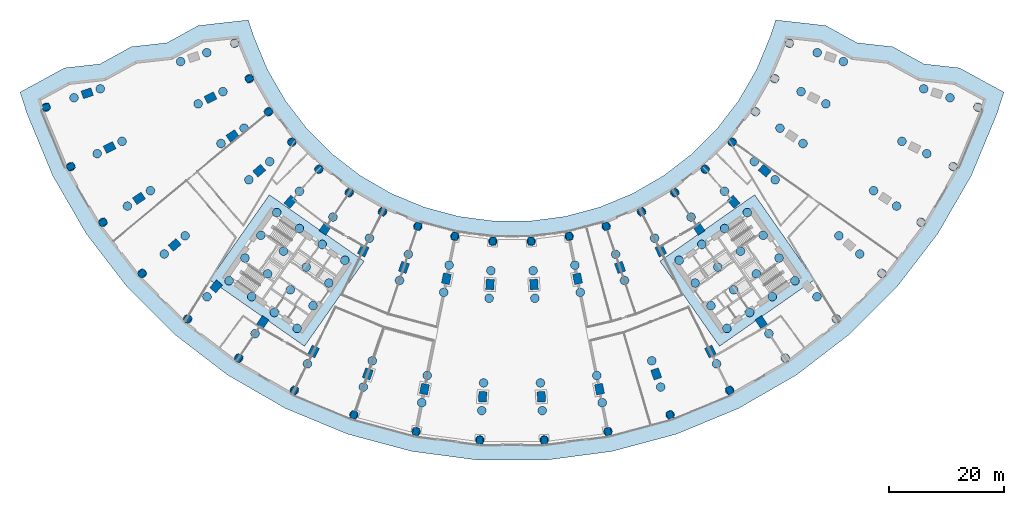
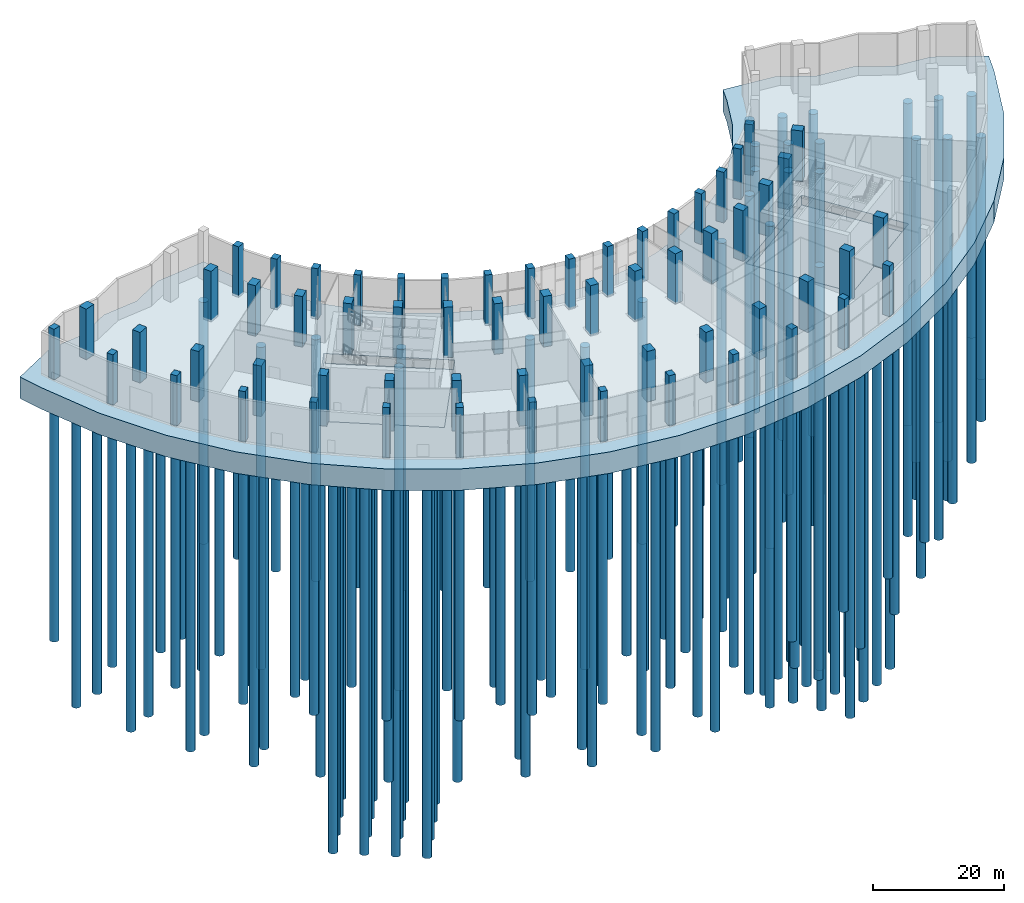
# One storey, part 1 of 23: 140 piles, 61 columns, 3 footings.
"""IFC4 building model written with IfcOpenShell, lengths in metres."""

import ifcopenshell
import ifcopenshell.guid

model = None  # the IFC model being written
_history = None  # IfcOwnerHistory: only IFC2X3 demands one
_inside = {}  # id of a spatial element -> (the spatial element, [elements in it])
_under = {}  # id of a project, library or spatial element -> (it, [spatial elements below it])
_declared = {}  # id of a project -> (the project, [libraries it declares])
_typed = {}  # id of a type object -> (the type object, [elements of that type])
_made_of = {}  # id of a material, layer set ... -> (it, [elements and type objects made of it])


def new_model(schema):
    """Start an empty IFC model of exactly this schema.

    Asked for "IFC4X3", IfcOpenShell would pick the latest addendum, in which some entities
    have other attributes; the version numbers below select the first issue.
    IFC2X3 requires an IfcOwnerHistory on every rooted entity: one is made here for all.
    """
    global model, _history
    if schema == "IFC4X3":
        model = ifcopenshell.file(schema_version=(4, 3, 0, 0))
    else:
        model = ifcopenshell.file(schema=schema)
    _inside.clear()
    _under.clear()
    _declared.clear()
    _typed.clear()
    _made_of.clear()
    _history = None
    if model.schema == "IFC2X3":
        org = make("IfcOrganization", Name="unknown")
        user = make(
            "IfcPersonAndOrganization",
            ThePerson=make("IfcPerson", FamilyName="unknown"),
            TheOrganization=org,
        )
        app = make(
            "IfcApplication",
            ApplicationDeveloper=org,
            Version="unknown",
            ApplicationFullName="unknown",
            ApplicationIdentifier="unknown",
        )
        _history = make(
            "IfcOwnerHistory",
            OwningUser=user,
            OwningApplication=app,
            ChangeAction="ADDED",
            CreationDate=0,
        )
    return model


def make(cls, **values):
    """One entity of the class cls with the attributes given. An attribute that is None is left unset."""
    return model.create_entity(
        cls, **{name: value for name, value in values.items() if value is not None}
    )


def rooted(cls, **values):
    """An entity with a GlobalId (a new one), such as an element, a storey or a relation."""
    return make(cls, GlobalId=ifcopenshell.guid.new(), OwnerHistory=_history, **values)


def si_unit(unit_type, name, prefix=None):
    """IfcSIUnit, for example si_unit("LENGTHUNIT", "METRE", prefix="MILLI")."""
    return make("IfcSIUnit", UnitType=unit_type, Prefix=prefix, Name=name)


def assignment(units):
    """IfcUnitAssignment: the units of a project."""
    return None if units is None else make("IfcUnitAssignment", Units=units)


def point(xyz):
    """IfcCartesianPoint."""
    return None if xyz is None else make("IfcCartesianPoint", Coordinates=xyz)


def direction(xyz):
    """IfcDirection."""
    return None if xyz is None else make("IfcDirection", DirectionRatios=xyz)


def frame(location, z_axis=None, x_axis=None):
    """IfcAxis2Placement3D, a coordinate frame: its origin and axes. An axis left out is left unset."""
    return make(
        "IfcAxis2Placement3D",
        Location=point(location),
        Axis=direction(z_axis),
        RefDirection=direction(x_axis),
    )


def frame_2d(location, x_axis=None):
    """IfcAxis2Placement2D, a coordinate frame in the plane: its origin and x axis."""
    return make(
        "IfcAxis2Placement2D", Location=point(location), RefDirection=direction(x_axis)
    )


def origin():
    """The frame at (0, 0, 0) with its axes left unset."""
    return frame((0.0, 0.0, 0.0))


def origin_2d():
    """The frame at (0, 0) in the plane with its x axis left unset."""
    return frame_2d((0.0, 0.0))


def place(relative_to, where):
    """IfcLocalPlacement: puts the frame where relative to a parent placement (None: the world)."""
    return make(
        "IfcLocalPlacement", PlacementRelTo=relative_to, RelativePlacement=where
    )


def context(
    kind, dimensions, precision=None, world=None, true_north=None, identifier=None
):
    """IfcGeometricRepresentationContext, for example the 3D "Model" context."""
    return make(
        "IfcGeometricRepresentationContext",
        ContextIdentifier=identifier,
        ContextType=kind,
        CoordinateSpaceDimension=dimensions,
        Precision=precision,
        WorldCoordinateSystem=world,
        TrueNorth=true_north,
    )


def subcontext(parent, identifier, kind, view, scale=None):
    """IfcGeometricRepresentationSubContext, for example "Body" below "Model"."""
    return make(
        "IfcGeometricRepresentationSubContext",
        ContextIdentifier=identifier,
        ContextType=kind,
        ParentContext=parent,
        TargetScale=scale,
        TargetView=view,
    )


def project(units=None, contexts=None):
    """IfcProject with its units and contexts."""
    return rooted(
        "IfcProject",
        Name="project",
        RepresentationContexts=contexts,
        UnitsInContext=assignment(units),
    )


def spatial(cls, under=None, at=None, **own):
    """A site, building, storey or space (cls), placed at a placement, below another one or the project."""
    s = rooted(cls, ObjectPlacement=at, **own)
    if under is not None:
        _under.setdefault(under.id(), (under, []))[1].append(s)
    return s


def polyline(points):
    """IfcPolyline through the points."""
    return make("IfcPolyline", Points=[point(p) for p in points])


def profile(cls, at=None, kind="AREA", **sizes):
    """A parametric profile (cls). Its sizes go by their IFC names, for example OverallWidth=200.0."""
    return make(cls, ProfileType=kind, Position=at, **sizes)


def rectangle(**sizes):
    """IfcRectangleProfileDef."""
    return profile("IfcRectangleProfileDef", **sizes)


def circle(**sizes):
    """IfcCircleProfileDef."""
    return profile("IfcCircleProfileDef", **sizes)


def outline(outer, holes=None, kind="AREA"):
    """IfcArbitraryClosedProfileDef: a profile drawn as a closed curve; with holes, ...WithVoids."""
    if holes is None:
        return make("IfcArbitraryClosedProfileDef", ProfileType=kind, OuterCurve=outer)
    return make(
        "IfcArbitraryProfileDefWithVoids",
        ProfileType=kind,
        OuterCurve=outer,
        InnerCurves=holes,
    )


def extrude(swept, where, along, depth):
    """IfcExtrudedAreaSolid: the profile swept, set in the frame where, extruded along a direction by depth."""
    return make(
        "IfcExtrudedAreaSolid",
        SweptArea=swept,
        Position=where,
        ExtrudedDirection=direction(along),
        Depth=depth,
    )


def shape(context_of_items, identifier, shape_type, items):
    """IfcShapeRepresentation: the items that make up one representation, for example the "Body"."""
    return make(
        "IfcShapeRepresentation",
        ContextOfItems=context_of_items,
        RepresentationIdentifier=identifier,
        RepresentationType=shape_type,
        Items=items,
    )


def material(Name=None, Category=None):
    """IfcMaterial."""
    return make("IfcMaterial", Name=Name, Category=Category)


def material_profile(
    of_material, cross_section, Name=None, Category=None, Priority=None
):
    """IfcMaterialProfile: a cross section and its material."""
    return make(
        "IfcMaterialProfile",
        Name=Name,
        Material=of_material,
        Profile=cross_section,
        Priority=Priority,
        Category=Category,
    )


def profile_set(profiles, Name=None, composite=None):
    """IfcMaterialProfileSet."""
    return make(
        "IfcMaterialProfileSet",
        Name=Name,
        MaterialProfiles=profiles,
        CompositeProfile=composite,
    )


def made_of(thing, what):
    """Note that an element or type object is made of a material, layer set ...; save() writes the relation."""
    if what is not None:
        _made_of.setdefault(what.id(), (what, []))[1].append(thing)
    return thing


def type_object(cls, material=None, **own):
    """A type object (cls), such as IfcWallType, which elements share."""
    return made_of(rooted(cls, **own), material)


def element(
    cls,
    number,
    at=None,
    inside=None,
    cuts=None,
    type_object=None,
    material=None,
    context=None,
    identifier="Body",
    shape_type=None,
    held_by="IfcProductDefinitionShape",
    body=None,
    shapes=None,
    **own,
):
    """One element of the class cls, such as IfcWall. Its Tag is "e" and its number.

    at: its placement. inside: the storey or other place that contains it. cuts: it is an
    opening in that element (IfcRelVoidsElement). A single representation is given by context,
    identifier, shape_type and body (its items); several are given by shapes. held_by: the class
    of the entity that holds the representations. save() writes the other relations.
    """
    e = rooted(cls, Tag="e%d" % number, ObjectPlacement=at, **own)
    if body is not None:
        shapes = [shape(context, identifier, shape_type, body)]
    if shapes is not None:
        e.Representation = make(held_by, Representations=shapes)
    if inside is not None:
        _inside.setdefault(inside.id(), (inside, []))[1].append(e)
    if cuts is not None:
        rooted(
            "IfcRelVoidsElement", RelatingBuildingElement=cuts, RelatedOpeningElement=e
        )
    if type_object is not None:
        _typed.setdefault(type_object.id(), (type_object, []))[1].append(e)
    return made_of(e, material)


def aggregate(whole, parts):
    """IfcRelAggregates: a whole, such as a stair, and the parts it consists of."""
    return rooted("IfcRelAggregates", RelatingObject=whole, RelatedObjects=parts)


def save(model, path):
    """Write the relations noted so far, then the file.

    IfcRelAggregates (storeys below a building ...), IfcRelContainedInSpatialStructure (elements
    in a storey), IfcRelDefinesByType, IfcRelAssociatesMaterial and IfcRelDeclares: one each for
    every whole, place, type object, material and project.
    """
    for whole, parts in _under.values():
        aggregate(whole, parts)
    for where, things in _inside.values():
        rooted(
            "IfcRelContainedInSpatialStructure",
            RelatedElements=things,
            RelatingStructure=where,
        )
    for kind, things in _typed.values():
        rooted("IfcRelDefinesByType", RelatedObjects=things, RelatingType=kind)
    for what, things in _made_of.values():
        rooted("IfcRelAssociatesMaterial", RelatedObjects=things, RelatingMaterial=what)
    for by, libraries in _declared.values():
        rooted("IfcRelDeclares", RelatingContext=by, RelatedDefinitions=libraries)
    model.write(path)


model = new_model("IFC4")

# Units and contexts
model_context = context("Model", 3, precision=1e-05, world=origin(), true_north=direction((0.0, 1.0)))
body_context = subcontext(model_context, "Body", "Model", "MODEL_VIEW")
ifc_project = project(units=[si_unit("LENGTHUNIT", "METRE"), si_unit("AREAUNIT", "SQUARE_METRE"), si_unit("VOLUMEUNIT", "CUBIC_METRE"), si_unit("PLANEANGLEUNIT", "RADIAN"), si_unit("MASSUNIT", "GRAM", prefix="KILO")], contexts=[model_context])

# Site, building, storey
site_placement = place(None, origin())
site = spatial("IfcSite", under=ifc_project, at=site_placement, CompositionType="ELEMENT")
building_placement = place(site_placement, origin())
building = spatial("IfcBuilding", under=site, at=building_placement, Name="Qamariyya Broadcast Tower", CompositionType="ELEMENT")
storey_placement = place(building_placement, origin())
storey = spatial("IfcBuildingStorey", under=building, at=storey_placement, Name="L00", CompositionType="ELEMENT", Elevation=0.0)

# Piles
ifc_material_1 = material(Name="Concrete C40/50", Category="concrete")
ifc_material_profile_1 = material_profile(ifc_material_1, circle(Radius=0.75, at=origin_2d()))
ifc_profile_set_1 = profile_set([ifc_material_profile_1], Name="Concrete C40/50")
pile_type_1 = type_object("IfcPileType", Name="Bored pile D1500 core 75 m C40/50", PredefinedType="BORED", material=ifc_profile_set_1)
for number, where, z_axis, x_axis, name in (
    (1, (-49.03076171875, -57.470458984375, -6.550048828125), (0.0, 0.0, -1.0), (1.0, 0.0, 0.0), "Bored pile P3 1"),
    (2, (-45.098876953125, -60.2236328125, -6.550048828125), (0.0, 0.0, -1.0), (1.0, 0.0, 0.0), "Bored pile P3 2"),
    (3, (-41.1669921875, -62.976806640625, -6.550048828125), (0.0, 0.0, -1.0), (1.0, 0.0, 0.0), "Bored pile P3 3"),
    (4, (-37.235107421875, -65.72998046875, -6.550048828125), (0.0, 0.0, -1.0), (1.0, 0.0, 0.0), "Bored pile P3 4"),
    (5, (-46.277587890625, -53.53857421875, -6.550048828125), (0.0, 0.0, -1.0), (1.0, 0.0, 0.0), "Bored pile P3 5"),
    (6, (-42.345703125, -56.291748046875, -6.550048828125), (0.0, 0.0, -1.0), (1.0, 0.0, 0.0), "Bored pile P3 6"),
    (7, (-38.413818359375, -59.044921875, -6.550048828125), (0.0, 0.0, -1.0), (1.0, 0.0, 0.0), "Bored pile P3 7"),
    (8, (-34.48193359375, -61.798095703125, -6.550048828125), (0.0, 0.0, -1.0), (1.0, 0.0, 0.0), "Bored pile P3 8"),
    (9, (-43.5244140625, -49.606689453125, -6.550048828125), (0.0, 0.0, -1.0), (1.0, 0.0, 0.0), "Bored pile P3 9"),
    (10, (-39.592529296875, -52.35986328125, -6.550048828125), (0.0, 0.0, -1.0), (1.0, 0.0, 0.0), "Bored pile P3 10"),
    (11, (-35.66064453125, -55.113037109375, -6.550048828125), (0.0, 0.0, -1.0), (1.0, 0.0, 0.0), "Bored pile P3 11"),
    (12, (-31.728759765625, -57.8662109375, -6.550048828125), (0.0, 0.0, -1.0), (1.0, 0.0, 0.0), "Bored pile P3 12"),
    (13, (-40.771240234375, -45.6748046875, -6.550048828125), (0.0, 0.0, -1.0), (1.0, 0.0, 0.0), "Bored pile P3 13"),
    (14, (-36.83935546875, -48.427978515625, -6.550048828125), (0.0, 0.0, -1.0), (1.0, 0.0, 0.0), "Bored pile P3 14"),
    (15, (-32.907470703125, -51.180908203125, -6.550048828125), (0.0, 0.0, -1.0), (1.0, 0.0, 0.0), "Bored pile P3 15"),
    (16, (-28.9755859375, -53.93408203125, -6.550048828125), (0.0, 0.0, -1.0), (1.0, 0.0, 0.0), "Bored pile P3 16"),
    (17, (37.235107421875, -65.72998046875, -6.550048828125), (0.0, 0.0, -1.0), (1.0, 0.0, 0.0), "Bored pile P3 17"),
    (18, (41.1669921875, -62.976806640625, -6.550048828125), (0.0, 0.0, -1.0), (1.0, 0.0, 0.0), "Bored pile P3 18"),
    (19, (45.098876953125, -60.2236328125, -6.550048828125), (0.0, 0.0, -1.0), (1.0, 0.0, 0.0), "Bored pile P3 19"),
    (20, (49.03076171875, -57.470458984375, -6.550048828125), (0.0, 0.0, -1.0), (1.0, 0.0, 0.0), "Bored pile P3 20"),
    (21, (34.48193359375, -61.798095703125, -6.550048828125), (0.0, 0.0, -1.0), (1.0, 0.0, 0.0), "Bored pile P3 21"),
    (22, (38.413818359375, -59.044921875, -6.550048828125), (0.0, 0.0, -1.0), (1.0, 0.0, 0.0), "Bored pile P3 22"),
    (23, (42.345703125, -56.291748046875, -6.550048828125), (0.0, 0.0, -1.0), (1.0, 0.0, 0.0), "Bored pile P3 23"),
    (24, (46.277587890625, -53.53857421875, -6.550048828125), (0.0, 0.0, -1.0), (1.0, 0.0, 0.0), "Bored pile P3 24"),
    (25, (31.728759765625, -57.8662109375, -6.550048828125), (0.0, 0.0, -1.0), (1.0, 0.0, 0.0), "Bored pile P3 25"),
    (26, (35.66064453125, -55.113037109375, -6.550048828125), (0.0, 0.0, -1.0), (1.0, 0.0, 0.0), "Bored pile P3 26"),
    (27, (39.592529296875, -52.35986328125, -6.550048828125), (0.0, 0.0, -1.0), (1.0, 0.0, 0.0), "Bored pile P3 27"),
    (28, (43.5244140625, -49.606689453125, -6.550048828125), (0.0, 0.0, -1.0), (1.0, 0.0, 0.0), "Bored pile P3 28"),
    (29, (28.9755859375, -53.93408203125, -6.550048828125), (0.0, 0.0, -1.0), (1.0, 0.0, 0.0), "Bored pile P3 29"),
    (30, (32.907470703125, -51.180908203125, -6.550048828125), (0.0, 0.0, -1.0), (1.0, 0.0, 0.0), "Bored pile P3 30"),
    (31, (36.83935546875, -48.427978515625, -6.550048828125), (0.0, 0.0, -1.0), (1.0, 0.0, 0.0), "Bored pile P3 31"),
    (32, (40.771240234375, -45.6748046875, -6.550048828125), (0.0, 0.0, -1.0), (1.0, 0.0, 0.0), "Bored pile P3 32"),
):
    element("IfcPile", number, at=place(storey_placement, frame(where, z_axis=z_axis, x_axis=x_axis)), inside=storey, type_object=pile_type_1, Name=name, PredefinedType="BORED", context=body_context, shape_type="SweptSolid", body=[
        extrude(circle(Radius=0.75, at=origin_2d()), origin(), (0.0, 0.0, 1.0), 75.0),
    ])
ifc_material_profile_2 = material_profile(ifc_material_1, circle(Radius=0.75, at=origin_2d()))
ifc_profile_set_2 = profile_set([ifc_material_profile_2], Name="Concrete C40/50")
pile_type_2 = type_object("IfcPileType", Name="Bored pile D1500 podium 45 m C40/50", PredefinedType="BORED", material=ifc_profile_set_2)
for number, where, z_axis, x_axis, name in (
    (33, (-48.056640625, -16.31298828125, -4.25), (0.0, 0.0, -1.0), (1.0, 0.0, 0.0), "Bored pile P1 37"),
    (34, (-80.725830078125, -27.40283203125, -4.25), (0.0, 0.0, -1.0), (1.0, 0.0, 0.0), "Bored pile P1 38"),
    (35, (-45.516357421875, -22.446044921875, -4.25), (0.0, 0.0, -1.0), (1.0, 0.0, 0.0), "Bored pile P1 43"),
    (36, (-76.45849609375, -37.705078125, -4.25), (0.0, 0.0, -1.0), (1.0, 0.0, 0.0), "Bored pile P1 44"),
    (37, (-42.197021484375, -28.195068359375, -4.25), (0.0, 0.0, -1.0), (1.0, 0.0, 0.0), "Bored pile P1 49"),
    (38, (-70.8828125, -47.3623046875, -4.25), (0.0, 0.0, -1.0), (1.0, 0.0, 0.0), "Bored pile P1 50"),
    (39, (-38.15576171875, -33.4619140625, -4.25), (0.0, 0.0, -1.0), (1.0, 0.0, 0.0), "Bored pile P1 55"),
    (40, (-64.09423828125, -56.209228515625, -4.25), (0.0, 0.0, -1.0), (1.0, 0.0, 0.0), "Bored pile P1 56"),
    (41, (-33.4619140625, -38.15576171875, -4.25), (0.0, 0.0, -1.0), (1.0, 0.0, 0.0), "Bored pile P1 59"),
    (42, (-56.209228515625, -64.09423828125, -4.25), (0.0, 0.0, -1.0), (1.0, 0.0, 0.0), "Bored pile P1 60"),
    (43, (-28.195068359375, -42.197021484375, -4.25), (0.0, 0.0, -1.0), (1.0, 0.0, 0.0), "Bored pile P1 63"),
    (44, (-47.3623046875, -70.8828125, -4.25), (0.0, 0.0, -1.0), (1.0, 0.0, 0.0), "Bored pile P1 64"),
    (45, (-22.446044921875, -45.516357421875, -4.25), (0.0, 0.0, -1.0), (1.0, 0.0, 0.0), "Bored pile P1 67"),
    (46, (-37.705078125, -76.45849609375, -4.25), (0.0, 0.0, -1.0), (1.0, 0.0, 0.0), "Bored pile P1 68"),
    (47, (-16.31298828125, -48.056640625, -4.25), (0.0, 0.0, -1.0), (1.0, 0.0, 0.0), "Bored pile P1 73"),
    (48, (-27.40283203125, -80.725830078125, -4.25), (0.0, 0.0, -1.0), (1.0, 0.0, 0.0), "Bored pile P1 74"),
    (49, (-9.90087890625, -49.77490234375, -4.25), (0.0, 0.0, -1.0), (1.0, 0.0, 0.0), "Bored pile P1 79"),
    (50, (-16.63134765625, -83.612060546875, -4.25), (0.0, 0.0, -1.0), (1.0, 0.0, 0.0), "Bored pile P1 80"),
    (51, (-3.319091796875, -50.641357421875, -4.25), (0.0, 0.0, -1.0), (1.0, 0.0, 0.0), "Bored pile P1 85"),
    (52, (-5.57568359375, -85.0673828125, -4.25), (0.0, 0.0, -1.0), (1.0, 0.0, 0.0), "Bored pile P1 86"),
    (53, (3.319091796875, -50.641357421875, -4.25), (0.0, 0.0, -1.0), (1.0, 0.0, 0.0), "Bored pile P1 91"),
    (54, (5.57568359375, -85.0673828125, -4.25), (0.0, 0.0, -1.0), (1.0, 0.0, 0.0), "Bored pile P1 92"),
    (55, (9.90087890625, -49.77490234375, -4.25), (0.0, 0.0, -1.0), (1.0, 0.0, 0.0), "Bored pile P1 97"),
    (56, (16.63134765625, -83.612060546875, -4.25), (0.0, 0.0, -1.0), (1.0, 0.0, 0.0), "Bored pile P1 98"),
    (57, (16.31298828125, -48.056640625, -4.25), (0.0, 0.0, -1.0), (1.0, 0.0, 0.0), "Bored pile P1 103"),
    (58, (27.40283203125, -80.725830078125, -4.25), (0.0, 0.0, -1.0), (1.0, 0.0, 0.0), "Bored pile P1 104"),
    (59, (22.446044921875, -45.516357421875, -4.25), (0.0, 0.0, -1.0), (1.0, 0.0, 0.0), "Bored pile P1 107"),
    (60, (37.705078125, -76.45849609375, -4.25), (0.0, 0.0, -1.0), (1.0, 0.0, 0.0), "Bored pile P1 108"),
    (61, (28.195068359375, -42.197021484375, -4.25), (0.0, 0.0, -1.0), (1.0, 0.0, 0.0), "Bored pile P1 111"),
    (62, (47.3623046875, -70.8828125, -4.25), (0.0, 0.0, -1.0), (1.0, 0.0, 0.0), "Bored pile P1 112"),
    (63, (33.4619140625, -38.15576171875, -4.25), (0.0, 0.0, -1.0), (1.0, 0.0, 0.0), "Bored pile P1 115"),
    (64, (56.209228515625, -64.09423828125, -4.25), (0.0, 0.0, -1.0), (1.0, 0.0, 0.0), "Bored pile P1 116"),
    (65, (38.15576171875, -33.4619140625, -4.25), (0.0, 0.0, -1.0), (1.0, 0.0, 0.0), "Bored pile P1 121"),
    (66, (64.09423828125, -56.209228515625, -4.25), (0.0, 0.0, -1.0), (1.0, 0.0, 0.0), "Bored pile P1 122"),
    (67, (42.197021484375, -28.195068359375, -4.25), (0.0, 0.0, -1.0), (1.0, 0.0, 0.0), "Bored pile P1 127"),
    (68, (70.8828125, -47.3623046875, -4.25), (0.0, 0.0, -1.0), (1.0, 0.0, 0.0), "Bored pile P1 128"),
    (69, (45.516357421875, -22.446044921875, -4.25), (0.0, 0.0, -1.0), (1.0, 0.0, 0.0), "Bored pile P1 133"),
    (70, (76.45849609375, -37.705078125, -4.25), (0.0, 0.0, -1.0), (1.0, 0.0, 0.0), "Bored pile P1 134"),
    (71, (48.056640625, -16.31298828125, -4.25), (0.0, 0.0, -1.0), (1.0, 0.0, 0.0), "Bored pile P1 139"),
    (72, (80.725830078125, -27.40283203125, -4.25), (0.0, 0.0, -1.0), (1.0, 0.0, 0.0), "Bored pile P1 140"),
):
    element("IfcPile", number, at=place(storey_placement, frame(where, z_axis=z_axis, x_axis=x_axis)), inside=storey, type_object=pile_type_2, Name=name, PredefinedType="BORED", context=body_context, shape_type="SweptSolid", body=[
        extrude(circle(Radius=0.75, at=origin_2d()), origin(), (0.0, 0.0, 1.0), 45.0),
    ])
ifc_material_profile_3 = material_profile(ifc_material_1, circle(Radius=0.75, at=origin_2d()))
ifc_profile_set_3 = profile_set([ifc_material_profile_3], Name="Concrete C40/50")
pile_type_3 = type_object("IfcPileType", Name="Bored pile D1500 ring column 60 m C40/50", PredefinedType="BORED", material=ifc_profile_set_3)
for number, where, z_axis, x_axis, name in (
    (73, (-52.885986328125, -17.952392578125, -4.25), (0.0, 0.0, -1.0), (1.0, 0.0, 0.0), "Bored pile P2 33"),
    (74, (-57.431396484375, -19.495361328125, -4.25), (0.0, 0.0, -1.0), (1.0, 0.0, 0.0), "Bored pile P2 34"),
    (75, (-71.35107421875, -24.220458984375, -4.25), (0.0, 0.0, -1.0), (1.0, 0.0, 0.0), "Bored pile P2 35"),
    (76, (-75.896484375, -25.763427734375, -4.25), (0.0, 0.0, -1.0), (1.0, 0.0, 0.0), "Bored pile P2 36"),
    (77, (-50.09033203125, -24.701904296875, -4.25), (0.0, 0.0, -1.0), (1.0, 0.0, 0.0), "Bored pile P2 39"),
    (78, (-54.395263671875, -26.82470703125, -4.25), (0.0, 0.0, -1.0), (1.0, 0.0, 0.0), "Bored pile P2 40"),
    (79, (-67.579345703125, -33.326416015625, -4.25), (0.0, 0.0, -1.0), (1.0, 0.0, 0.0), "Bored pile P2 41"),
    (80, (-71.88427734375, -35.449462890625, -4.25), (0.0, 0.0, -1.0), (1.0, 0.0, 0.0), "Bored pile P2 42"),
    (81, (-46.4375, -31.028564453125, -4.25), (0.0, 0.0, -1.0), (1.0, 0.0, 0.0), "Bored pile P2 45"),
    (82, (-50.4287109375, -33.6953125, -4.25), (0.0, 0.0, -1.0), (1.0, 0.0, 0.0), "Bored pile P2 46"),
    (83, (-62.651123046875, -41.8623046875, -4.25), (0.0, 0.0, -1.0), (1.0, 0.0, 0.0), "Bored pile P2 47"),
    (84, (-66.642333984375, -44.529052734375, -4.25), (0.0, 0.0, -1.0), (1.0, 0.0, 0.0), "Bored pile P2 48"),
    (85, (-41.990234375, -36.824462890625, -4.25), (0.0, 0.0, -1.0), (1.0, 0.0, 0.0), "Bored pile P2 51"),
    (86, (-45.59912109375, -39.9892578125, -4.25), (0.0, 0.0, -1.0), (1.0, 0.0, 0.0), "Bored pile P2 52"),
    (87, (-56.651123046875, -49.681640625, -4.25), (0.0, 0.0, -1.0), (1.0, 0.0, 0.0), "Bored pile P2 53"),
    (88, (-60.260009765625, -52.8466796875, -4.25), (0.0, 0.0, -1.0), (1.0, 0.0, 0.0), "Bored pile P2 54"),
    (89, (-36.824462890625, -41.990234375, -4.25), (0.0, 0.0, -1.0), (1.0, 0.0, 0.0), "Bored pile P2 57"),
    (90, (-52.8466796875, -60.260009765625, -4.25), (0.0, 0.0, -1.0), (1.0, 0.0, 0.0), "Bored pile P2 58"),
    (91, (-31.028564453125, -46.4375, -4.25), (0.0, 0.0, -1.0), (1.0, 0.0, 0.0), "Bored pile P2 61"),
    (92, (-44.529052734375, -66.642333984375, -4.25), (0.0, 0.0, -1.0), (1.0, 0.0, 0.0), "Bored pile P2 62"),
    (93, (-24.701904296875, -50.09033203125, -4.25), (0.0, 0.0, -1.0), (1.0, 0.0, 0.0), "Bored pile P2 65"),
    (94, (-35.449462890625, -71.88427734375, -4.25), (0.0, 0.0, -1.0), (1.0, 0.0, 0.0), "Bored pile P2 66"),
    (95, (-17.952392578125, -52.885986328125, -4.25), (0.0, 0.0, -1.0), (1.0, 0.0, 0.0), "Bored pile P2 69"),
    (96, (-19.495361328125, -57.431396484375, -4.25), (0.0, 0.0, -1.0), (1.0, 0.0, 0.0), "Bored pile P2 70"),
    (97, (-24.220458984375, -71.35107421875, -4.25), (0.0, 0.0, -1.0), (1.0, 0.0, 0.0), "Bored pile P2 71"),
    (98, (-25.763427734375, -75.896484375, -4.25), (0.0, 0.0, -1.0), (1.0, 0.0, 0.0), "Bored pile P2 72"),
    (99, (-10.895751953125, -54.77685546875, -4.25), (0.0, 0.0, -1.0), (1.0, 0.0, 0.0), "Bored pile P2 75"),
    (100, (-11.832275390625, -59.484619140625, -4.25), (0.0, 0.0, -1.0), (1.0, 0.0, 0.0), "Bored pile P2 76"),
    (101, (-14.699951171875, -73.902099609375, -4.25), (0.0, 0.0, -1.0), (1.0, 0.0, 0.0), "Bored pile P2 77"),
    (102, (-15.636474609375, -78.60986328125, -4.25), (0.0, 0.0, -1.0), (1.0, 0.0, 0.0), "Bored pile P2 78"),
    (103, (-3.65283203125, -55.73046875, -4.25), (0.0, 0.0, -1.0), (1.0, 0.0, 0.0), "Bored pile P2 81"),
    (104, (-3.966796875, -60.520263671875, -4.25), (0.0, 0.0, -1.0), (1.0, 0.0, 0.0), "Bored pile P2 82"),
    (105, (-4.92822265625, -75.188720703125, -4.25), (0.0, 0.0, -1.0), (1.0, 0.0, 0.0), "Bored pile P2 83"),
    (106, (-5.241943359375, -79.978271484375, -4.25), (0.0, 0.0, -1.0), (1.0, 0.0, 0.0), "Bored pile P2 84"),
    (107, (3.65283203125, -55.73046875, -4.25), (0.0, 0.0, -1.0), (1.0, 0.0, 0.0), "Bored pile P2 87"),
    (108, (3.966796875, -60.520263671875, -4.25), (0.0, 0.0, -1.0), (1.0, 0.0, 0.0), "Bored pile P2 88"),
    (109, (4.92822265625, -75.188720703125, -4.25), (0.0, 0.0, -1.0), (1.0, 0.0, 0.0), "Bored pile P2 89"),
    (110, (5.241943359375, -79.978271484375, -4.25), (0.0, 0.0, -1.0), (1.0, 0.0, 0.0), "Bored pile P2 90"),
    (111, (10.895751953125, -54.77685546875, -4.25), (0.0, 0.0, -1.0), (1.0, 0.0, 0.0), "Bored pile P2 93"),
    (112, (11.832275390625, -59.484619140625, -4.25), (0.0, 0.0, -1.0), (1.0, 0.0, 0.0), "Bored pile P2 94"),
    (113, (14.699951171875, -73.902099609375, -4.25), (0.0, 0.0, -1.0), (1.0, 0.0, 0.0), "Bored pile P2 95"),
    (114, (15.636474609375, -78.60986328125, -4.25), (0.0, 0.0, -1.0), (1.0, 0.0, 0.0), "Bored pile P2 96"),
    (115, (17.952392578125, -52.885986328125, -4.25), (0.0, 0.0, -1.0), (1.0, 0.0, 0.0), "Bored pile P2 99"),
    (116, (19.495361328125, -57.431396484375, -4.25), (0.0, 0.0, -1.0), (1.0, 0.0, 0.0), "Bored pile P2 100"),
    (117, (24.220458984375, -71.35107421875, -4.25), (0.0, 0.0, -1.0), (1.0, 0.0, 0.0), "Bored pile P2 101"),
    (118, (25.763427734375, -75.896484375, -4.25), (0.0, 0.0, -1.0), (1.0, 0.0, 0.0), "Bored pile P2 102"),
    (119, (24.701904296875, -50.09033203125, -4.25), (0.0, 0.0, -1.0), (1.0, 0.0, 0.0), "Bored pile P2 105"),
    (120, (35.449462890625, -71.88427734375, -4.25), (0.0, 0.0, -1.0), (1.0, 0.0, 0.0), "Bored pile P2 106"),
    (121, (31.028564453125, -46.4375, -4.25), (0.0, 0.0, -1.0), (1.0, 0.0, 0.0), "Bored pile P2 109"),
    (122, (44.529052734375, -66.642333984375, -4.25), (0.0, 0.0, -1.0), (1.0, 0.0, 0.0), "Bored pile P2 110"),
    (123, (36.824462890625, -41.990234375, -4.25), (0.0, 0.0, -1.0), (1.0, 0.0, 0.0), "Bored pile P2 113"),
    (124, (52.8466796875, -60.260009765625, -4.25), (0.0, 0.0, -1.0), (1.0, 0.0, 0.0), "Bored pile P2 114"),
    (125, (41.990234375, -36.824462890625, -4.25), (0.0, 0.0, -1.0), (1.0, 0.0, 0.0), "Bored pile P2 117"),
    (126, (45.59912109375, -39.9892578125, -4.25), (0.0, 0.0, -1.0), (1.0, 0.0, 0.0), "Bored pile P2 118"),
    (127, (56.651123046875, -49.681640625, -4.25), (0.0, 0.0, -1.0), (1.0, 0.0, 0.0), "Bored pile P2 119"),
    (128, (60.260009765625, -52.8466796875, -4.25), (0.0, 0.0, -1.0), (1.0, 0.0, 0.0), "Bored pile P2 120"),
    (129, (46.4375, -31.028564453125, -4.25), (0.0, 0.0, -1.0), (1.0, 0.0, 0.0), "Bored pile P2 123"),
    (130, (50.4287109375, -33.6953125, -4.25), (0.0, 0.0, -1.0), (1.0, 0.0, 0.0), "Bored pile P2 124"),
    (131, (62.651123046875, -41.8623046875, -4.25), (0.0, 0.0, -1.0), (1.0, 0.0, 0.0), "Bored pile P2 125"),
    (132, (66.642333984375, -44.529052734375, -4.25), (0.0, 0.0, -1.0), (1.0, 0.0, 0.0), "Bored pile P2 126"),
    (133, (50.09033203125, -24.701904296875, -4.25), (0.0, 0.0, -1.0), (1.0, 0.0, 0.0), "Bored pile P2 129"),
    (134, (54.395263671875, -26.82470703125, -4.25), (0.0, 0.0, -1.0), (1.0, 0.0, 0.0), "Bored pile P2 130"),
    (135, (67.579345703125, -33.326416015625, -4.25), (0.0, 0.0, -1.0), (1.0, 0.0, 0.0), "Bored pile P2 131"),
    (136, (71.88427734375, -35.449462890625, -4.25), (0.0, 0.0, -1.0), (1.0, 0.0, 0.0), "Bored pile P2 132"),
    (137, (52.885986328125, -17.952392578125, -4.25), (0.0, 0.0, -1.0), (1.0, 0.0, 0.0), "Bored pile P2 135"),
    (138, (57.431396484375, -19.495361328125, -4.25), (0.0, 0.0, -1.0), (1.0, 0.0, 0.0), "Bored pile P2 136"),
    (139, (71.35107421875, -24.220458984375, -4.25), (0.0, 0.0, -1.0), (1.0, 0.0, 0.0), "Bored pile P2 137"),
    (140, (75.896484375, -25.763427734375, -4.25), (0.0, 0.0, -1.0), (1.0, 0.0, 0.0), "Bored pile P2 138"),
):
    element("IfcPile", number, at=place(storey_placement, frame(where, z_axis=z_axis, x_axis=x_axis)), inside=storey, type_object=pile_type_3, Name=name, PredefinedType="BORED", context=body_context, shape_type="SweptSolid", body=[
        extrude(circle(Radius=0.75, at=origin_2d()), origin(), (0.0, 0.0, 1.0), 60.0),
    ])

# Footings
footing_type_1 = type_object("IfcFootingType", Name="Core raft 4500 C40/50", PredefinedType="PILE_CAP", material=ifc_material_1)
footing_1_placement = place(storey_placement, frame((0.0, 0.0, -6.699951171875)))
element("IfcFooting", 141, at=footing_1_placement, inside=storey, type_object=footing_type_1, Name="Core raft F2 W", PredefinedType="PILE_CAP", context=body_context, shape_type="SweptSolid", body=[
    extrude(outline(polyline([(-52.37548828125, -57.325927734375), (-35.955322265625, -68.823486328125), (-25.630859375, -54.07861328125), (-42.051025390625, -42.581298828125), (-52.37548828125, -57.325927734375)])), origin(), (0.0, 0.0, 1.0), 4.5),
])
footing_2_placement = place(storey_placement, frame((0.0, 0.0, -6.699951171875)))
element("IfcFooting", 142, at=footing_2_placement, inside=storey, type_object=footing_type_1, Name="Core raft F2 E", PredefinedType="PILE_CAP", context=body_context, shape_type="SweptSolid", body=[
    extrude(outline(polyline([(35.955322265625, -68.823486328125), (52.37548828125, -57.325927734375), (42.051025390625, -42.581298828125), (25.630859375, -54.07861328125), (35.955322265625, -68.823486328125)])), origin(), (0.0, 0.0, 1.0), 4.5),
])
footing_type_2 = type_object("IfcFootingType", Name="Piled raft 4000 C40/50", PredefinedType="PILE_CAP", material=ifc_material_1)
footing_3_placement = place(storey_placement, frame((0.0, 0.0, -4.39990234375)))
element("IfcFooting", 143, at=footing_3_placement, inside=storey, type_object=footing_type_2, Name="Piled raft F1", PredefinedType="PILE_CAP", context=body_context, shape_type="SweptSolid", body=[
    extrude(outline(polyline([(-77.55615234375, -20.5966796875), (-85.25830078125, -24.81201171875), (-84.018798828125, -28.59326171875), (-79.602294921875, -39.255615234375), (-73.79736328125, -49.309814453125), (-66.729736328125, -58.5205078125), (-58.5205078125, -66.729736328125), (-49.309814453125, -73.79736328125), (-39.255615234375, -79.602294921875), (-28.529541015625, -84.045166015625), (-17.3154296875, -87.050048828125), (-5.804931640625, -88.5654296875), (5.804931640625, -88.5654296875), (17.3154296875, -87.050048828125), (28.529541015625, -84.045166015625), (39.255615234375, -79.602294921875), (49.309814453125, -73.79736328125), (58.5205078125, -66.729736328125), (66.729736328125, -58.5205078125), (73.79736328125, -49.309814453125), (79.602294921875, -39.255615234375), (84.018798828125, -28.59326171875), (85.25830078125, -24.81201171875), (77.55615234375, -20.5966796875), (71.402587890625, -19.9091796875), (65.9541015625, -16.927490234375), (59.80224609375, -16.240478515625), (54.351318359375, -13.258056640625), (45.69189453125, -12.29150390625), (44.763671875, -15.12255859375), (42.372314453125, -20.895751953125), (39.282470703125, -26.247802734375), (35.5205078125, -31.150634765625), (31.150634765625, -35.5205078125), (26.247802734375, -39.282470703125), (20.895751953125, -42.372314453125), (15.186279296875, -44.7373046875), (9.217041015625, -46.3369140625), (3.08984375, -47.1435546875), (-3.08984375, -47.1435546875), (-9.217041015625, -46.3369140625), (-15.186279296875, -44.7373046875), (-20.895751953125, -42.372314453125), (-26.247802734375, -39.282470703125), (-31.150634765625, -35.5205078125), (-35.5205078125, -31.150634765625), (-39.282470703125, -26.247802734375), (-42.372314453125, -20.895751953125), (-44.763671875, -15.12255859375), (-45.69189453125, -12.29150390625), (-54.351318359375, -13.258056640625), (-59.80224609375, -16.240478515625), (-65.9541015625, -16.927490234375), (-71.402587890625, -19.9091796875), (-77.55615234375, -20.5966796875)]), holes=[polyline([(-52.37548828125, -57.325927734375), (-42.051025390625, -42.581298828125), (-25.630859375, -54.07861328125), (-35.955322265625, -68.823486328125), (-52.37548828125, -57.325927734375)]), polyline([(35.955322265625, -68.823486328125), (25.630859375, -54.07861328125), (42.051025390625, -42.581298828125), (52.37548828125, -57.325927734375), (35.955322265625, -68.823486328125)])]), origin(), (0.0, 0.0, 1.0), 4.0),
])

# Columns
ifc_material_2 = material(Name="Concrete C70/85", Category="concrete")
ifc_material_profile_4 = material_profile(ifc_material_2, rectangle(XDim=1.10009765625, YDim=1.300048828125, at=origin_2d()))
ifc_profile_set_4 = profile_set([ifc_material_profile_4], Name="Concrete C70/85")
column_type_1 = type_object("IfcColumnType", Name="RC column 1100 x 1300 C70/85 from raft", PredefinedType="COLUMN", material=ifc_profile_set_4)
for number, where, z_axis, x_axis, name in (
    (144, (-80.725830078125, -27.40283203125, -0.39990234375), (0.0, 0.0, 1.0), (0.321439465303, -0.946930129495, 0.0), "Column C1 L00 D-R01"),
    (145, (-45.516357421875, -22.446044921875, -0.39990234375), (0.0, 0.0, 1.0), (0.442288690219, -0.896872741533, 0.0), "Column C1 L00 A-R02"),
    (146, (-76.45849609375, -37.705078125, -0.39990234375), (0.0, 0.0, 1.0), (0.442288690219, -0.896872741533, 0.0), "Column C1 L00 D-R02"),
    (147, (-42.197021484375, -28.195068359375, -0.39990234375), (0.0, 0.0, 1.0), (0.55557023302, -0.831469612303, 0.0), "Column C1 L00 A-R03"),
    (148, (-70.8828125, -47.3623046875, -0.39990234375), (0.0, 0.0, 1.0), (0.55557023302, -0.831469612303, 0.0), "Column C1 L00 D-R03"),
    (149, (-38.15576171875, -33.4619140625, -0.39990234375), (0.0, 0.0, 1.0), (0.6593458151, -0.751839807479, 0.0), "Column C1 L00 A-R04"),
    (150, (-64.09423828125, -56.209228515625, -0.39990234375), (0.0, 0.0, 1.0), (0.6593458151, -0.751839807479, 0.0), "Column C1 L00 D-R04"),
    (151, (-33.4619140625, -38.15576171875, -0.39990234375), (0.0, 0.0, 1.0), (0.751839807479, -0.6593458151, 0.0), "Column C1 L00 A-R05"),
    (152, (-56.209228515625, -64.09423828125, -0.39990234375), (0.0, 0.0, 1.0), (0.751839807479, -0.6593458151, 0.0), "Column C1 L00 D-R05"),
    (153, (-28.195068359375, -42.197021484375, -0.39990234375), (0.0, 0.0, 1.0), (0.831469612303, -0.55557023302, 0.0), "Column C1 L00 A-R06"),
    (154, (-47.3623046875, -70.8828125, -0.39990234375), (0.0, 0.0, 1.0), (0.831469612303, -0.55557023302, 0.0), "Column C1 L00 D-R06"),
    (155, (-22.446044921875, -45.516357421875, -0.39990234375), (0.0, 0.0, 1.0), (0.896872741533, -0.442288690219, 0.0), "Column C1 L00 A-R07"),
    (156, (-37.705078125, -76.45849609375, -0.39990234375), (0.0, 0.0, 1.0), (0.896872741533, -0.442288690219, 0.0), "Column C1 L00 D-R07"),
    (157, (-16.31298828125, -48.056640625, -0.39990234375), (0.0, 0.0, 1.0), (0.946930129495, -0.321439465303, 0.0), "Column C1 L00 A-R08"),
    (158, (-27.40283203125, -80.725830078125, -0.39990234375), (0.0, 0.0, 1.0), (0.946930129495, -0.321439465303, 0.0), "Column C1 L00 D-R08"),
    (159, (-9.90087890625, -49.77490234375, -0.39990234375), (0.0, 0.0, 1.0), (0.980785280403, -0.195090322016, 0.0), "Column C1 L00 A-R09"),
    (160, (-16.63134765625, -83.612060546875, -0.39990234375), (0.0, 0.0, 1.0), (0.980785280403, -0.195090322016, 0.0), "Column C1 L00 D-R09"),
    (161, (-3.319091796875, -50.641357421875, -0.39990234375), (0.0, 0.0, 1.0), (0.997858923239, -0.06540312923, 0.0), "Column C1 L00 A-R10"),
    (162, (-5.57568359375, -85.0673828125, -0.39990234375), (0.0, 0.0, 1.0), (0.997858923239, -0.06540312923, 0.0), "Column C1 L00 D-R10"),
    (163, (3.319091796875, -50.641357421875, -0.39990234375), (0.0, 0.0, 1.0), (0.997858923239, 0.06540312923, 0.0), "Column C1 L00 A-R11"),
    (164, (5.57568359375, -85.0673828125, -0.39990234375), (0.0, 0.0, 1.0), (0.997858923239, 0.06540312923, 0.0), "Column C1 L00 D-R11"),
    (165, (9.90087890625, -49.77490234375, -0.39990234375), (0.0, 0.0, 1.0), (0.980785280403, 0.195090322016, 0.0), "Column C1 L00 A-R12"),
    (166, (16.63134765625, -83.612060546875, -0.39990234375), (0.0, 0.0, 1.0), (0.980785280403, 0.195090322016, 0.0), "Column C1 L00 D-R12"),
    (167, (16.31298828125, -48.056640625, -0.39990234375), (0.0, 0.0, 1.0), (0.946930129495, 0.321439465303, 0.0), "Column C1 L00 A-R13"),
    (168, (27.40283203125, -80.725830078125, -0.39990234375), (0.0, 0.0, 1.0), (0.946930129495, 0.321439465303, 0.0), "Column C1 L00 D-R13"),
    (169, (22.446044921875, -45.516357421875, -0.39990234375), (0.0, 0.0, 1.0), (0.896872741533, 0.442288690219, 0.0), "Column C1 L00 A-R14"),
    (170, (37.705078125, -76.45849609375, -0.39990234375), (0.0, 0.0, 1.0), (0.896872741533, 0.442288690219, 0.0), "Column C1 L00 D-R14"),
    (171, (28.195068359375, -42.197021484375, -0.39990234375), (0.0, 0.0, 1.0), (0.831469612303, 0.55557023302, 0.0), "Column C1 L00 A-R15"),
    (172, (33.4619140625, -38.15576171875, -0.39990234375), (0.0, 0.0, 1.0), (0.751839807479, 0.6593458151, 0.0), "Column C1 L00 A-R16"),
    (173, (38.15576171875, -33.4619140625, -0.39990234375), (0.0, 0.0, 1.0), (0.6593458151, 0.751839807479, 0.0), "Column C1 L00 A-R17"),
):
    element("IfcColumn", number, at=place(storey_placement, frame(where, z_axis=z_axis, x_axis=x_axis)), inside=storey, type_object=column_type_1, Name=name, PredefinedType="COLUMN", context=body_context, shape_type="SweptSolid", body=[
        extrude(rectangle(XDim=1.10009765625, YDim=1.300048828125, at=origin_2d()), origin(), (0.0, 0.0, 1.0), 9.39990234375),
    ])
ifc_material_profile_5 = material_profile(ifc_material_2, rectangle(XDim=1.39990234375, YDim=1.800048828125, at=origin_2d()))
ifc_profile_set_5 = profile_set([ifc_material_profile_5], Name="Concrete C70/85")
column_type_2 = type_object("IfcColumnType", Name="RC column 1400 x 1800 C70/85 from raft", PredefinedType="COLUMN", material=ifc_profile_set_5)
for number, where, z_axis, x_axis, name in (
    (174, (-73.623779296875, -24.991943359375, -0.39990234375), (0.0, 0.0, 1.0), (0.321439465303, -0.946930129495, 0.0), "Column C2 L00 C-R01"),
    (175, (-52.242919921875, -25.763427734375, -0.39990234375), (0.0, 0.0, 1.0), (0.442288690219, -0.896872741533, 0.0), "Column C2 L00 B-R02"),
    (176, (-69.73193359375, -34.387939453125, -0.39990234375), (0.0, 0.0, 1.0), (0.442288690219, -0.896872741533, 0.0), "Column C2 L00 C-R02"),
    (177, (-48.43310546875, -32.362060546875, -0.39990234375), (0.0, 0.0, 1.0), (0.55557023302, -0.831469612303, 0.0), "Column C2 L00 B-R03"),
    (178, (-64.646728515625, -43.195556640625, -0.39990234375), (0.0, 0.0, 1.0), (0.55557023302, -0.831469612303, 0.0), "Column C2 L00 C-R03"),
    (179, (-43.794677734375, -38.406982421875, -0.39990234375), (0.0, 0.0, 1.0), (0.6593458151, -0.751839807479, 0.0), "Column C2 L00 B-R04"),
    (180, (-58.45556640625, -51.26416015625, -0.39990234375), (0.0, 0.0, 1.0), (0.6593458151, -0.751839807479, 0.0), "Column C2 L00 C-R04"),
    (181, (-38.406982421875, -43.794677734375, -0.39990234375), (0.0, 0.0, 1.0), (0.751839807479, -0.6593458151, 0.0), "Column C2 L00 B-R05"),
    (182, (-51.26416015625, -58.45556640625, -0.39990234375), (0.0, 0.0, 1.0), (0.751839807479, -0.6593458151, 0.0), "Column C2 L00 C-R05"),
    (183, (-32.362060546875, -48.43310546875, -0.39990234375), (0.0, 0.0, 1.0), (0.831469612303, -0.55557023302, 0.0), "Column C2 L00 B-R06"),
    (184, (-43.195556640625, -64.646728515625, -0.39990234375), (0.0, 0.0, 1.0), (0.831469612303, -0.55557023302, 0.0), "Column C2 L00 C-R06"),
    (185, (-25.763427734375, -52.242919921875, -0.39990234375), (0.0, 0.0, 1.0), (0.896872741533, -0.442288690219, 0.0), "Column C2 L00 B-R07"),
    (186, (-34.387939453125, -69.73193359375, -0.39990234375), (0.0, 0.0, 1.0), (0.896872741533, -0.442288690219, 0.0), "Column C2 L00 C-R07"),
    (187, (-18.723876953125, -55.15869140625, -0.39990234375), (0.0, 0.0, 1.0), (0.946930129495, -0.321439465303, 0.0), "Column C2 L00 B-R08"),
    (188, (-24.991943359375, -73.623779296875, -0.39990234375), (0.0, 0.0, 1.0), (0.946930129495, -0.321439465303, 0.0), "Column C2 L00 C-R08"),
    (189, (-11.364013671875, -57.130859375, -0.39990234375), (0.0, 0.0, 1.0), (0.980785280403, -0.195090322016, 0.0), "Column C2 L00 B-R09"),
    (190, (-15.168212890625, -76.256103515625, -0.39990234375), (0.0, 0.0, 1.0), (0.980785280403, -0.195090322016, 0.0), "Column C2 L00 C-R09"),
    (191, (-3.809814453125, -58.125244140625, -0.39990234375), (0.0, 0.0, 1.0), (0.997858923239, -0.06540312923, 0.0), "Column C2 L00 B-R10"),
    (192, (-5.085205078125, -77.58349609375, -0.39990234375), (0.0, 0.0, 1.0), (0.997858923239, -0.06540312923, 0.0), "Column C2 L00 C-R10"),
    (193, (3.809814453125, -58.125244140625, -0.39990234375), (0.0, 0.0, 1.0), (0.997858923239, 0.06540312923, 0.0), "Column C2 L00 B-R11"),
    (194, (5.085205078125, -77.58349609375, -0.39990234375), (0.0, 0.0, 1.0), (0.997858923239, 0.06540312923, 0.0), "Column C2 L00 C-R11"),
    (195, (11.364013671875, -57.130859375, -0.39990234375), (0.0, 0.0, 1.0), (0.980785280403, 0.195090322016, 0.0), "Column C2 L00 B-R12"),
    (196, (15.168212890625, -76.256103515625, -0.39990234375), (0.0, 0.0, 1.0), (0.980785280403, 0.195090322016, 0.0), "Column C2 L00 C-R12"),
    (197, (18.723876953125, -55.15869140625, -0.39990234375), (0.0, 0.0, 1.0), (0.946930129495, 0.321439465303, 0.0), "Column C2 L00 B-R13"),
    (198, (24.991943359375, -73.623779296875, -0.39990234375), (0.0, 0.0, 1.0), (0.946930129495, 0.321439465303, 0.0), "Column C2 L00 C-R13"),
    (199, (25.763427734375, -52.242919921875, -0.39990234375), (0.0, 0.0, 1.0), (0.896872741533, 0.442288690219, 0.0), "Column C2 L00 B-R14"),
    (200, (34.387939453125, -69.73193359375, -0.39990234375), (0.0, 0.0, 1.0), (0.896872741533, 0.442288690219, 0.0), "Column C2 L00 C-R14"),
    (201, (32.362060546875, -48.43310546875, -0.39990234375), (0.0, 0.0, 1.0), (0.831469612303, 0.55557023302, 0.0), "Column C2 L00 B-R15"),
    (202, (43.195556640625, -64.646728515625, -0.39990234375), (0.0, 0.0, 1.0), (0.831469612303, 0.55557023302, 0.0), "Column C2 L00 C-R15"),
    (203, (38.406982421875, -43.794677734375, -0.39990234375), (0.0, 0.0, 1.0), (0.751839807479, 0.6593458151, 0.0), "Column C2 L00 B-R16"),
    (204, (43.794677734375, -38.406982421875, -0.39990234375), (0.0, 0.0, 1.0), (0.6593458151, 0.751839807479, 0.0), "Column C2 L00 B-R17"),
):
    element("IfcColumn", number, at=place(storey_placement, frame(where, z_axis=z_axis, x_axis=x_axis)), inside=storey, type_object=column_type_2, Name=name, PredefinedType="COLUMN", context=body_context, shape_type="SweptSolid", body=[
        extrude(rectangle(XDim=1.39990234375, YDim=1.800048828125, at=origin_2d()), origin(), (0.0, 0.0, 1.0), 9.39990234375),
    ])

save(model, "model.ifc")
